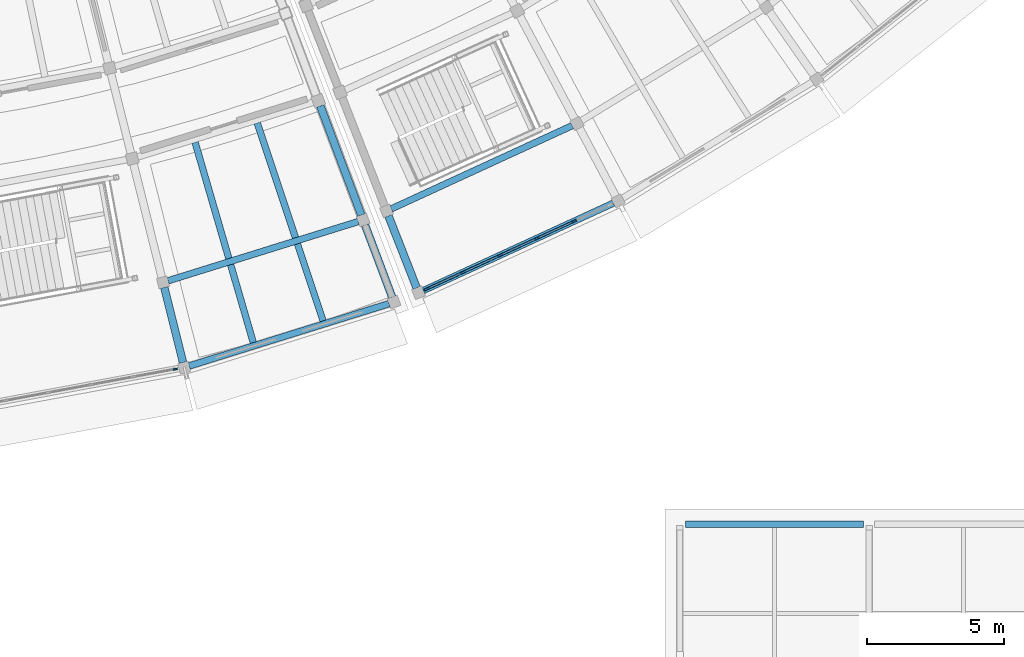
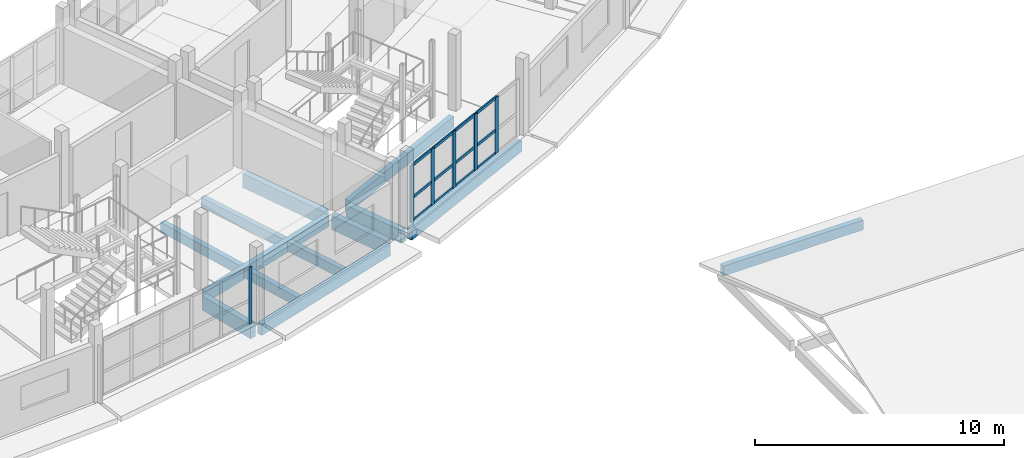
# One storey, part 24 of 66: 18 members, 11 beams, 2 elements without a shape of their own.
"""IFC4 building model written with IfcOpenShell, lengths in metres."""

import ifcopenshell
import ifcopenshell.guid

model = None  # the IFC model being written
_history = None  # IfcOwnerHistory: only IFC2X3 demands one
_inside = {}  # id of a spatial element -> (the spatial element, [elements in it])
_under = {}  # id of a project, library or spatial element -> (it, [spatial elements below it])
_declared = {}  # id of a project -> (the project, [libraries it declares])
_typed = {}  # id of a type object -> (the type object, [elements of that type])
_made_of = {}  # id of a material, layer set ... -> (it, [elements and type objects made of it])


def new_model(schema):
    """Start an empty IFC model of exactly this schema.

    Asked for "IFC4X3", IfcOpenShell would pick the latest addendum, in which some entities
    have other attributes; the version numbers below select the first issue.
    IFC2X3 requires an IfcOwnerHistory on every rooted entity: one is made here for all.
    """
    global model, _history
    if schema == "IFC4X3":
        model = ifcopenshell.file(schema_version=(4, 3, 0, 0))
    else:
        model = ifcopenshell.file(schema=schema)
    _inside.clear()
    _under.clear()
    _declared.clear()
    _typed.clear()
    _made_of.clear()
    _history = None
    if model.schema == "IFC2X3":
        org = make("IfcOrganization", Name="unknown")
        user = make(
            "IfcPersonAndOrganization",
            ThePerson=make("IfcPerson", FamilyName="unknown"),
            TheOrganization=org,
        )
        app = make(
            "IfcApplication",
            ApplicationDeveloper=org,
            Version="unknown",
            ApplicationFullName="unknown",
            ApplicationIdentifier="unknown",
        )
        _history = make(
            "IfcOwnerHistory",
            OwningUser=user,
            OwningApplication=app,
            ChangeAction="ADDED",
            CreationDate=0,
        )
    return model


def make(cls, **values):
    """One entity of the class cls with the attributes given. An attribute that is None is left unset."""
    return model.create_entity(
        cls, **{name: value for name, value in values.items() if value is not None}
    )


def rooted(cls, **values):
    """An entity with a GlobalId (a new one), such as an element, a storey or a relation."""
    return make(cls, GlobalId=ifcopenshell.guid.new(), OwnerHistory=_history, **values)


def si_unit(unit_type, name, prefix=None):
    """IfcSIUnit, for example si_unit("LENGTHUNIT", "METRE", prefix="MILLI")."""
    return make("IfcSIUnit", UnitType=unit_type, Prefix=prefix, Name=name)


def assignment(units):
    """IfcUnitAssignment: the units of a project."""
    return None if units is None else make("IfcUnitAssignment", Units=units)


def point(xyz):
    """IfcCartesianPoint."""
    return None if xyz is None else make("IfcCartesianPoint", Coordinates=xyz)


def direction(xyz):
    """IfcDirection."""
    return None if xyz is None else make("IfcDirection", DirectionRatios=xyz)


def frame(location, z_axis=None, x_axis=None):
    """IfcAxis2Placement3D, a coordinate frame: its origin and axes. An axis left out is left unset."""
    return make(
        "IfcAxis2Placement3D",
        Location=point(location),
        Axis=direction(z_axis),
        RefDirection=direction(x_axis),
    )


def frame_2d(location, x_axis=None):
    """IfcAxis2Placement2D, a coordinate frame in the plane: its origin and x axis."""
    return make(
        "IfcAxis2Placement2D", Location=point(location), RefDirection=direction(x_axis)
    )


def origin():
    """The frame at (0, 0, 0) with its axes left unset."""
    return frame((0.0, 0.0, 0.0))


def origin_2d():
    """The frame at (0, 0) in the plane with its x axis left unset."""
    return frame_2d((0.0, 0.0))


def place(relative_to, where):
    """IfcLocalPlacement: puts the frame where relative to a parent placement (None: the world)."""
    return make(
        "IfcLocalPlacement", PlacementRelTo=relative_to, RelativePlacement=where
    )


def context(
    kind, dimensions, precision=None, world=None, true_north=None, identifier=None
):
    """IfcGeometricRepresentationContext, for example the 3D "Model" context."""
    return make(
        "IfcGeometricRepresentationContext",
        ContextIdentifier=identifier,
        ContextType=kind,
        CoordinateSpaceDimension=dimensions,
        Precision=precision,
        WorldCoordinateSystem=world,
        TrueNorth=true_north,
    )


def subcontext(parent, identifier, kind, view, scale=None):
    """IfcGeometricRepresentationSubContext, for example "Body" below "Model"."""
    return make(
        "IfcGeometricRepresentationSubContext",
        ContextIdentifier=identifier,
        ContextType=kind,
        ParentContext=parent,
        TargetScale=scale,
        TargetView=view,
    )


def project(units=None, contexts=None):
    """IfcProject with its units and contexts."""
    return rooted(
        "IfcProject",
        Name="project",
        RepresentationContexts=contexts,
        UnitsInContext=assignment(units),
    )


def spatial(cls, under=None, at=None, **own):
    """A site, building, storey or space (cls), placed at a placement, below another one or the project."""
    s = rooted(cls, ObjectPlacement=at, **own)
    if under is not None:
        _under.setdefault(under.id(), (under, []))[1].append(s)
    return s


def profile(cls, at=None, kind="AREA", **sizes):
    """A parametric profile (cls). Its sizes go by their IFC names, for example OverallWidth=200.0."""
    return make(cls, ProfileType=kind, Position=at, **sizes)


def rectangle(**sizes):
    """IfcRectangleProfileDef."""
    return profile("IfcRectangleProfileDef", **sizes)


def extrude(swept, where, along, depth):
    """IfcExtrudedAreaSolid: the profile swept, set in the frame where, extruded along a direction by depth."""
    return make(
        "IfcExtrudedAreaSolid",
        SweptArea=swept,
        Position=where,
        ExtrudedDirection=direction(along),
        Depth=depth,
    )


def shape(context_of_items, identifier, shape_type, items):
    """IfcShapeRepresentation: the items that make up one representation, for example the "Body"."""
    return make(
        "IfcShapeRepresentation",
        ContextOfItems=context_of_items,
        RepresentationIdentifier=identifier,
        RepresentationType=shape_type,
        Items=items,
    )


def material(Name=None, Category=None):
    """IfcMaterial."""
    return make("IfcMaterial", Name=Name, Category=Category)


def layer(
    of_material, thickness, ventilated=None, Name=None, Category=None, Priority=None
):
    """IfcMaterialLayer: one layer of a wall or slab, of a material (None: an air gap)."""
    return make(
        "IfcMaterialLayer",
        Material=of_material,
        LayerThickness=thickness,
        IsVentilated=ventilated,
        Name=Name,
        Category=Category,
        Priority=Priority,
    )


def layer_set(layers, Name=None):
    """IfcMaterialLayerSet."""
    return make("IfcMaterialLayerSet", MaterialLayers=layers, LayerSetName=Name)


def material_profile(
    of_material, cross_section, Name=None, Category=None, Priority=None
):
    """IfcMaterialProfile: a cross section and its material."""
    return make(
        "IfcMaterialProfile",
        Name=Name,
        Material=of_material,
        Profile=cross_section,
        Priority=Priority,
        Category=Category,
    )


def profile_set(profiles, Name=None, composite=None):
    """IfcMaterialProfileSet."""
    return make(
        "IfcMaterialProfileSet",
        Name=Name,
        MaterialProfiles=profiles,
        CompositeProfile=composite,
    )


def made_of(thing, what):
    """Note that an element or type object is made of a material, layer set ...; save() writes the relation."""
    if what is not None:
        _made_of.setdefault(what.id(), (what, []))[1].append(thing)
    return thing


def type_object(cls, material=None, **own):
    """A type object (cls), such as IfcWallType, which elements share."""
    return made_of(rooted(cls, **own), material)


def element(
    cls,
    number,
    at=None,
    inside=None,
    cuts=None,
    type_object=None,
    material=None,
    context=None,
    identifier="Body",
    shape_type=None,
    held_by="IfcProductDefinitionShape",
    body=None,
    shapes=None,
    **own,
):
    """One element of the class cls, such as IfcWall. Its Tag is "e" and its number.

    at: its placement. inside: the storey or other place that contains it. cuts: it is an
    opening in that element (IfcRelVoidsElement). A single representation is given by context,
    identifier, shape_type and body (its items); several are given by shapes. held_by: the class
    of the entity that holds the representations. save() writes the other relations.
    """
    e = rooted(cls, Tag="e%d" % number, ObjectPlacement=at, **own)
    if body is not None:
        shapes = [shape(context, identifier, shape_type, body)]
    if shapes is not None:
        e.Representation = make(held_by, Representations=shapes)
    if inside is not None:
        _inside.setdefault(inside.id(), (inside, []))[1].append(e)
    if cuts is not None:
        rooted(
            "IfcRelVoidsElement", RelatingBuildingElement=cuts, RelatedOpeningElement=e
        )
    if type_object is not None:
        _typed.setdefault(type_object.id(), (type_object, []))[1].append(e)
    return made_of(e, material)


def aggregate(whole, parts):
    """IfcRelAggregates: a whole, such as a stair, and the parts it consists of."""
    return rooted("IfcRelAggregates", RelatingObject=whole, RelatedObjects=parts)


def save(model, path):
    """Write the relations noted so far, then the file.

    IfcRelAggregates (storeys below a building ...), IfcRelContainedInSpatialStructure (elements
    in a storey), IfcRelDefinesByType, IfcRelAssociatesMaterial and IfcRelDeclares: one each for
    every whole, place, type object, material and project.
    """
    for whole, parts in _under.values():
        aggregate(whole, parts)
    for where, things in _inside.values():
        rooted(
            "IfcRelContainedInSpatialStructure",
            RelatedElements=things,
            RelatingStructure=where,
        )
    for kind, things in _typed.values():
        rooted("IfcRelDefinesByType", RelatedObjects=things, RelatingType=kind)
    for what, things in _made_of.values():
        rooted("IfcRelAssociatesMaterial", RelatedObjects=things, RelatingMaterial=what)
    for by, libraries in _declared.values():
        rooted("IfcRelDeclares", RelatingContext=by, RelatedDefinitions=libraries)
    model.write(path)


model = new_model("IFC4")

# Units and contexts
model_context = context("Model", 3, precision=1e-05, world=origin(), true_north=direction((0.0, 1.0)))
body_context = subcontext(model_context, "Body", "Model", "MODEL_VIEW")
ifc_project = project(units=[si_unit("LENGTHUNIT", "METRE"), si_unit("AREAUNIT", "SQUARE_METRE"), si_unit("VOLUMEUNIT", "CUBIC_METRE"), si_unit("PLANEANGLEUNIT", "RADIAN"), si_unit("MASSUNIT", "GRAM", prefix="KILO")], contexts=[model_context])

# Site, building, storey
site_placement = place(None, origin())
site = spatial("IfcSite", under=ifc_project, at=site_placement, CompositionType="ELEMENT")
building_placement = place(site_placement, origin())
building = spatial("IfcBuilding", under=site, at=building_placement, Name="Caldaven Crescent School", CompositionType="ELEMENT")
storey_placement = place(building_placement, frame((0.0, 0.0, 8.159912109375)))
storey = spatial("IfcBuildingStorey", under=building, at=storey_placement, Name="L02", CompositionType="ELEMENT", Elevation=8.159912109375)

# Beams
ifc_material_1 = material(Name="Glulam MLE24h (GL28h)", Category="wood")
ifc_material_profile_1 = material_profile(ifc_material_1, rectangle(XDim=0.239990234375, YDim=0.5400390625, at=origin_2d()), Name="MLE 240x540")
ifc_profile_set_1 = profile_set([ifc_material_profile_1], Name="Glulam MLE24h (GL28h)")
beam_type_1 = type_object("IfcBeamType", Name="BM-GL54", PredefinedType="BEAM", material=ifc_profile_set_1)
beam_1_placement = place(storey_placement, frame((104.23291015625, 31.677490234375, -0.52001953125), z_axis=(0.954751649919, 0.297404248417, 0.0), x_axis=(-0.297404248417, 0.954751649919, 0.0)))
element("IfcBeam", 1, at=beam_1_placement, inside=storey, type_object=beam_type_1, Name="BMT-V5-L02-1269", PredefinedType="BEAM", context=body_context, shape_type="SweptSolid", body=[
    extrude(rectangle(XDim=0.239990234375, YDim=0.5400390625, at=origin_2d()), origin(), (0.0, 0.0, 1.0), 7.264892578125),
])
beam_2_placement = place(storey_placement, frame((112.376220703125, 34.301513671875, -0.52001953125), z_axis=(0.908523111099, 0.417834604357, 0.0), x_axis=(-0.417834604357, 0.908523111099, 0.0)))
element("IfcBeam", 2, at=beam_2_placement, inside=storey, type_object=beam_type_1, Name="BMT-V4E-L02-1302", PredefinedType="BEAM", context=body_context, shape_type="SweptSolid", body=[
    extrude(rectangle(XDim=0.239990234375, YDim=0.5400390625, at=origin_2d()), origin(), (0.0, 0.0, 1.0), 7.26513671875),
])
ifc_material_profile_2 = material_profile(ifc_material_1, rectangle(XDim=0.280029296875, YDim=0.6298828125, at=origin_2d()), Name="MLE 280x630")
ifc_profile_set_2 = profile_set([ifc_material_profile_2], Name="Glulam MLE24h (GL28h)")
beam_type_2 = type_object("IfcBeamType", Name="BM-GL63", PredefinedType="BEAM", material=ifc_profile_set_2)
beam_3_placement = place(storey_placement, frame((112.27294921875, 34.045166015625, -0.56494140625), z_axis=(0.364813864007, -0.931080471618, 0.0), x_axis=(0.931080471618, 0.364813864007, 0.0)))
element("IfcBeam", 3, at=beam_3_placement, inside=storey, type_object=beam_type_2, Name="BMR-V4E-L02-1278", PredefinedType="BEAM", context=body_context, shape_type="SweptSolid", body=[
    extrude(rectangle(XDim=0.280029296875, YDim=0.6298828125, at=origin_2d()), origin(), (0.0, 0.0, 1.0), 2.820068359375),
])
ifc_material_profile_3 = material_profile(ifc_material_1, rectangle(XDim=0.280029296875, YDim=0.68994140625, at=origin_2d()), Name="MLE 280x690")
ifc_profile_set_3 = profile_set([ifc_material_profile_3], Name="Glulam MLE24h (GL28h)")
beam_type_3 = type_object("IfcBeamType", Name="BM-GL69", PredefinedType="BEAM", material=ifc_profile_set_3)
beam_4_placement = place(storey_placement, frame((104.097412109375, 31.4365234375, -0.594970703125), z_axis=(0.241965234679, -0.970284919602, 0.0), x_axis=(0.970284919602, 0.241965234679, 0.0)))
element("IfcBeam", 4, at=beam_4_placement, inside=storey, type_object=beam_type_3, Name="BMR-V5-L02-1223", PredefinedType="BEAM", context=body_context, shape_type="SweptSolid", body=[
    extrude(rectangle(XDim=0.280029296875, YDim=0.68994140625, at=origin_2d()), origin(), (0.0, 0.0, 1.0), 2.820068359375),
])
beam_5_placement = place(storey_placement, frame((109.786376953125, 38.055419921875, -0.594970703125), z_axis=(0.351890440491, -0.936041194548, 0.0), x_axis=(0.936041194548, 0.351890440491, 0.0)))
element("IfcBeam", 5, at=beam_5_placement, inside=storey, type_object=beam_type_3, Name="BMR-V5-L02-1226", PredefinedType="BEAM", context=body_context, shape_type="SweptSolid", body=[
    extrude(rectangle(XDim=0.280029296875, YDim=0.68994140625, at=origin_2d()), origin(), (0.0, 0.0, 1.0), 4.255126953125),
])
beam_6_placement = place(storey_placement, frame((111.41748046875, 33.716796875, -0.594970703125), z_axis=(0.351920262681, -0.936029982807, 0.0), x_axis=(0.936029982807, 0.351920262681, 0.0)))
element("IfcBeam", 6, at=beam_6_placement, inside=storey, type_object=beam_type_3, Name="BMR-V5-L02-1227", PredefinedType="BEAM", context=body_context, shape_type="SweptSolid", body=[
    extrude(rectangle(XDim=0.280029296875, YDim=0.68994140625, at=origin_2d()), origin(), (0.0, 0.0, 1.0), 2.820068359375),
])

# Curtain wall, member
ifc_material_2 = material(Name="Anodised aluminium AA 6063-T6 and low-E double glazing", Category="aluminium")
ifc_layer_1 = layer(ifc_material_2, 0.169921875)
ifc_layer_set_1 = layer_set([ifc_layer_1], Name="Anodised aluminium AA 6063-T6 and low-E double glazing")
curtain_wall_type_1 = type_object("IfcCurtainWallType", Name="CW-SYS1", PredefinedType="NOTDEFINED", material=ifc_layer_set_1)
curtain_wall_1_placement = place(storey_placement, origin())
curtain_wall_1 = element("IfcCurtainWall", 7, at=curtain_wall_1_placement, inside=storey, type_object=curtain_wall_type_1, Name="CW-L02-147", PredefinedType="NOTDEFINED")
ifc_material_3 = material(Name="Anodised aluminium AA 6063-T6", Category="aluminium")
ifc_material_profile_4 = material_profile(ifc_material_3, rectangle(XDim=0.06005859375, YDim=0.14990234375, at=origin_2d()), Name="CWM 60x150")
ifc_profile_set_4 = profile_set([ifc_material_profile_4], Name="Anodised aluminium AA 6063-T6")
member_type_1 = type_object("IfcMemberType", Name="CWM-T1", PredefinedType="MULLION", material=ifc_profile_set_4)
member_1_placement = place(storey_placement, frame((104.501220703125, 28.455810546875, 0.0), z_axis=(0.0, 0.0, 1.0), x_axis=(-0.182234865564, 0.983255029874, 0.0)))
member_1 = element("IfcMember", 8, at=member_1_placement, type_object=member_type_1, Name="CW1 mullion 6", PredefinedType="MULLION", context=body_context, shape_type="SweptSolid", body=[
    extrude(rectangle(XDim=0.06005859375, YDim=0.14990234375, at=origin_2d()), origin(), (0.0, 0.0, 1.0), 2.780029296875),
])
aggregate(curtain_wall_1, [member_1])

# Curtain wall, members
ifc_layer_2 = layer(ifc_material_2, 0.2099609375)
ifc_layer_set_2 = layer_set([ifc_layer_2], Name="Anodised aluminium AA 6063-T6 and low-E double glazing")
curtain_wall_type_2 = type_object("IfcCurtainWallType", Name="CW-SYS3", PredefinedType="NOTDEFINED", material=ifc_layer_set_2)
curtain_wall_2_placement = place(storey_placement, origin())
curtain_wall_2 = element("IfcCurtainWall", 9, at=curtain_wall_2_placement, inside=storey, type_object=curtain_wall_type_2, Name="CW-L02-150", PredefinedType="NOTDEFINED")
ifc_material_profile_5 = material_profile(ifc_material_3, rectangle(XDim=0.070068359375, YDim=0.2099609375, at=origin_2d()), Name="CWM 70x210")
ifc_profile_set_5 = profile_set([ifc_material_profile_5], Name="Anodised aluminium AA 6063-T6")
member_type_2 = type_object("IfcMemberType", Name="CWM-T3", PredefinedType="MULLION", material=ifc_profile_set_5)
member_2_placement = place(storey_placement, frame((113.67529296875, 31.382568359375, 0.0), z_axis=(0.0, 0.0, 1.0), x_axis=(-0.417823425339, 0.908528252306, 0.0)))
member_2 = element("IfcMember", 10, at=member_2_placement, type_object=member_type_2, Name="CW3 mullion 1", PredefinedType="MULLION", context=body_context, shape_type="SweptSolid", body=[
    extrude(rectangle(XDim=0.070068359375, YDim=0.2099609375, at=origin_2d()), origin(), (0.0, 0.0, 1.0), 2.780029296875),
])
member_3_placement = place(storey_placement, frame((114.99072265625, 31.987548828125, 0.0), z_axis=(0.0, 0.0, 1.0), x_axis=(-0.417823425339, 0.908528252306, 0.0)))
member_3 = element("IfcMember", 11, at=member_3_placement, type_object=member_type_2, Name="CW3 mullion 2", PredefinedType="MULLION", context=body_context, shape_type="SweptSolid", body=[
    extrude(rectangle(XDim=0.070068359375, YDim=0.2099609375, at=origin_2d()), origin(), (0.0, 0.0, 1.0), 2.780029296875),
])
member_4_placement = place(storey_placement, frame((116.337890625, 32.60693359375, 0.0), z_axis=(0.0, 0.0, 1.0), x_axis=(-0.417823425339, 0.908528252306, 0.0)))
member_4 = element("IfcMember", 12, at=member_4_placement, type_object=member_type_2, Name="CW3 mullion 3", PredefinedType="MULLION", context=body_context, shape_type="SweptSolid", body=[
    extrude(rectangle(XDim=0.070068359375, YDim=0.2099609375, at=origin_2d()), origin(), (0.0, 0.0, 1.0), 2.780029296875),
])
member_5_placement = place(storey_placement, frame((117.684814453125, 33.2265625, 0.0), z_axis=(0.0, 0.0, 1.0), x_axis=(-0.417823425339, 0.908528252306, 0.0)))
member_5 = element("IfcMember", 13, at=member_5_placement, type_object=member_type_2, Name="CW3 mullion 4", PredefinedType="MULLION", context=body_context, shape_type="SweptSolid", body=[
    extrude(rectangle(XDim=0.070068359375, YDim=0.2099609375, at=origin_2d()), origin(), (0.0, 0.0, 1.0), 2.780029296875),
])
member_6_placement = place(storey_placement, frame((119.031982421875, 33.84619140625, 0.0), z_axis=(0.0, 0.0, 1.0), x_axis=(-0.417823425339, 0.908528252306, 0.0)))
member_6 = element("IfcMember", 14, at=member_6_placement, type_object=member_type_2, Name="CW3 mullion 5", PredefinedType="MULLION", context=body_context, shape_type="SweptSolid", body=[
    extrude(rectangle(XDim=0.070068359375, YDim=0.2099609375, at=origin_2d()), origin(), (0.0, 0.0, 1.0), 2.780029296875),
])
ifc_material_profile_6 = material_profile(ifc_material_3, rectangle(XDim=0.06494140625, YDim=0.139892578125, at=origin_2d()), Name="CWT 65x140")
ifc_profile_set_6 = profile_set([ifc_material_profile_6], Name="Anodised aluminium AA 6063-T6")
member_type_3 = type_object("IfcMemberType", Name="CWT-T2", PredefinedType="USERDEFINED", material=ifc_profile_set_6)
member_7_placement = place(storey_placement, frame((113.70703125, 31.397216796875, 0.032470703125), z_axis=(0.908518707105, 0.417844180096, 0.0), x_axis=(-0.417844180096, 0.908518707105, 0.0)))
member_7 = element("IfcMember", 15, at=member_7_placement, type_object=member_type_3, Name="CW3 transom 1.1", ObjectType="TRANSOM", PredefinedType="USERDEFINED", context=body_context, shape_type="SweptSolid", body=[
    extrude(rectangle(XDim=0.06494140625, YDim=0.139892578125, at=origin_2d()), origin(), (0.0, 0.0, 1.0), 1.377685546875),
])
member_8_placement = place(storey_placement, frame((113.70703125, 31.397216796875, 1.16796875), z_axis=(0.908518707105, 0.417844180096, 0.0), x_axis=(-0.417844180096, 0.908518707105, 0.0)))
member_8 = element("IfcMember", 16, at=member_8_placement, type_object=member_type_3, Name="CW3 transom 1.2", ObjectType="TRANSOM", PredefinedType="USERDEFINED", context=body_context, shape_type="SweptSolid", body=[
    extrude(rectangle(XDim=0.06494140625, YDim=0.139892578125, at=origin_2d()), origin(), (0.0, 0.0, 1.0), 1.377685546875),
])
member_9_placement = place(storey_placement, frame((113.70703125, 31.397216796875, 2.74755859375), z_axis=(0.908518707105, 0.417844180096, 0.0), x_axis=(-0.417844180096, 0.908518707105, 0.0)))
member_9 = element("IfcMember", 17, at=member_9_placement, type_object=member_type_3, Name="CW3 transom 1.3", ObjectType="TRANSOM", PredefinedType="USERDEFINED", context=body_context, shape_type="SweptSolid", body=[
    extrude(rectangle(XDim=0.06494140625, YDim=0.139892578125, at=origin_2d()), origin(), (0.0, 0.0, 1.0), 1.377685546875),
])
member_10_placement = place(storey_placement, frame((115.0224609375, 32.002197265625, 0.032470703125), z_axis=(0.908504886929, 0.417874228, 0.0), x_axis=(-0.417874228, 0.908504886929, 0.0)))
member_10 = element("IfcMember", 18, at=member_10_placement, type_object=member_type_3, Name="CW3 transom 2.1", ObjectType="TRANSOM", PredefinedType="USERDEFINED", context=body_context, shape_type="SweptSolid", body=[
    extrude(rectangle(XDim=0.06494140625, YDim=0.139892578125, at=origin_2d()), origin(), (0.0, 0.0, 1.0), 1.41259765625),
])
member_11_placement = place(storey_placement, frame((115.0224609375, 32.002197265625, 1.16796875), z_axis=(0.908504886929, 0.417874228, 0.0), x_axis=(-0.417874228, 0.908504886929, 0.0)))
member_11 = element("IfcMember", 19, at=member_11_placement, type_object=member_type_3, Name="CW3 transom 2.2", ObjectType="TRANSOM", PredefinedType="USERDEFINED", context=body_context, shape_type="SweptSolid", body=[
    extrude(rectangle(XDim=0.06494140625, YDim=0.139892578125, at=origin_2d()), origin(), (0.0, 0.0, 1.0), 1.41259765625),
])
member_12_placement = place(storey_placement, frame((115.0224609375, 32.002197265625, 2.74755859375), z_axis=(0.908504886929, 0.417874228, 0.0), x_axis=(-0.417874228, 0.908504886929, 0.0)))
member_12 = element("IfcMember", 20, at=member_12_placement, type_object=member_type_3, Name="CW3 transom 2.3", ObjectType="TRANSOM", PredefinedType="USERDEFINED", context=body_context, shape_type="SweptSolid", body=[
    extrude(rectangle(XDim=0.06494140625, YDim=0.139892578125, at=origin_2d()), origin(), (0.0, 0.0, 1.0), 1.41259765625),
])
member_13_placement = place(storey_placement, frame((116.36962890625, 32.62158203125, 0.032470703125), z_axis=(0.908504886929, 0.417874228, 0.0), x_axis=(-0.417874228, 0.908504886929, 0.0)))
member_13 = element("IfcMember", 21, at=member_13_placement, type_object=member_type_3, Name="CW3 transom 3.1", ObjectType="TRANSOM", PredefinedType="USERDEFINED", context=body_context, shape_type="SweptSolid", body=[
    extrude(rectangle(XDim=0.06494140625, YDim=0.139892578125, at=origin_2d()), origin(), (0.0, 0.0, 1.0), 1.41259765625),
])
member_14_placement = place(storey_placement, frame((116.36962890625, 32.62158203125, 1.16796875), z_axis=(0.908504886929, 0.417874228, 0.0), x_axis=(-0.417874228, 0.908504886929, 0.0)))
member_14 = element("IfcMember", 22, at=member_14_placement, type_object=member_type_3, Name="CW3 transom 3.2", ObjectType="TRANSOM", PredefinedType="USERDEFINED", context=body_context, shape_type="SweptSolid", body=[
    extrude(rectangle(XDim=0.06494140625, YDim=0.139892578125, at=origin_2d()), origin(), (0.0, 0.0, 1.0), 1.41259765625),
])
member_15_placement = place(storey_placement, frame((116.36962890625, 32.62158203125, 2.74755859375), z_axis=(0.908504886929, 0.417874228, 0.0), x_axis=(-0.417874228, 0.908504886929, 0.0)))
member_15 = element("IfcMember", 23, at=member_15_placement, type_object=member_type_3, Name="CW3 transom 3.3", ObjectType="TRANSOM", PredefinedType="USERDEFINED", context=body_context, shape_type="SweptSolid", body=[
    extrude(rectangle(XDim=0.06494140625, YDim=0.139892578125, at=origin_2d()), origin(), (0.0, 0.0, 1.0), 1.41259765625),
])
member_16_placement = place(storey_placement, frame((117.716796875, 33.2412109375, 0.032470703125), z_axis=(0.908504886929, 0.417874228, 0.0), x_axis=(-0.417874228, 0.908504886929, 0.0)))
member_16 = element("IfcMember", 24, at=member_16_placement, type_object=member_type_3, Name="CW3 transom 4.1", ObjectType="TRANSOM", PredefinedType="USERDEFINED", context=body_context, shape_type="SweptSolid", body=[
    extrude(rectangle(XDim=0.06494140625, YDim=0.139892578125, at=origin_2d()), origin(), (0.0, 0.0, 1.0), 1.41259765625),
])
member_17_placement = place(storey_placement, frame((117.716796875, 33.2412109375, 1.16796875), z_axis=(0.908504886929, 0.417874228, 0.0), x_axis=(-0.417874228, 0.908504886929, 0.0)))
member_17 = element("IfcMember", 25, at=member_17_placement, type_object=member_type_3, Name="CW3 transom 4.2", ObjectType="TRANSOM", PredefinedType="USERDEFINED", context=body_context, shape_type="SweptSolid", body=[
    extrude(rectangle(XDim=0.06494140625, YDim=0.139892578125, at=origin_2d()), origin(), (0.0, 0.0, 1.0), 1.41259765625),
])
member_18_placement = place(storey_placement, frame((117.716796875, 33.2412109375, 2.74755859375), z_axis=(0.908504886929, 0.417874228, 0.0), x_axis=(-0.417874228, 0.908504886929, 0.0)))
member_18 = element("IfcMember", 26, at=member_18_placement, type_object=member_type_3, Name="CW3 transom 4.3", ObjectType="TRANSOM", PredefinedType="USERDEFINED", context=body_context, shape_type="SweptSolid", body=[
    extrude(rectangle(XDim=0.06494140625, YDim=0.139892578125, at=origin_2d()), origin(), (0.0, 0.0, 1.0), 1.41259765625),
])
aggregate(curtain_wall_2, [member_2, member_3, member_4, member_5, member_6, member_7, member_8, member_9, member_10, member_11, member_12, member_13, member_14, member_15, member_16, member_17, member_18])

# Beams
ifc_material_profile_7 = material_profile(ifc_material_1, rectangle(XDim=0.239990234375, YDim=0.47998046875, at=origin_2d()), Name="MLE 240x480")
ifc_profile_set_7 = profile_set([ifc_material_profile_7], Name="Glulam MLE24h (GL28h)")
beam_type_4 = type_object("IfcBeamType", Name="JS-GL48", PredefinedType="JOIST", material=ifc_profile_set_7)
for number, where, z_axis, x_axis, name in (
    (27, (105.22119140625, 36.72705078125, -0.489990234375), (0.279011621042, -0.96028772528, 0.0), (0.96028772528, 0.279011621042, 0.0), "JSR-V5-L02-1272"),
    (28, (107.488037109375, 37.433349609375, -0.489990234375), (0.315717515133, -0.948853229239, 0.0), (0.948853229239, 0.315717515133, 0.0), "JSR-V5-L02-1274"),
):
    element("IfcBeam", number, at=place(storey_placement, frame(where, z_axis=z_axis, x_axis=x_axis)), inside=storey, type_object=beam_type_4, Name=name, PredefinedType="JOIST", context=body_context, shape_type="SweptSolid", body=[
        extrude(rectangle(XDim=0.239990234375, YDim=0.47998046875, at=origin_2d()), origin(), (0.0, 0.0, 1.0), 7.6083984375),
    ])
ifc_material_profile_8 = material_profile(ifc_material_1, rectangle(XDim=0.239990234375, YDim=0.47998046875, at=origin_2d()), Name="MLE 240x480")
ifc_profile_set_8 = profile_set([ifc_material_profile_8], Name="Glulam MLE24h (GL28h)")
beam_type_5 = type_object("IfcBeamType", Name="SP-GL48", PredefinedType="SPANDREL", material=ifc_profile_set_8)
beam_7_placement = place(storey_placement, frame((123.10498046875, 22.800048828125, -0.4599609375), z_axis=(1.0, 0.0, 0.0), x_axis=(0.0, 1.0, 0.0)))
element("IfcBeam", 29, at=beam_7_placement, inside=storey, type_object=beam_type_5, Name="BMX-V3-L02-0516", PredefinedType="SPANDREL", context=body_context, shape_type="SweptSolid", body=[
    extrude(rectangle(XDim=0.239990234375, YDim=0.47998046875, at=origin_2d()), origin(), (0.0, 0.0, 1.0), 6.489990234375),
])
ifc_material_profile_9 = material_profile(ifc_material_1, rectangle(XDim=0.239990234375, YDim=0.5400390625, at=origin_2d()), Name="MLE 240x540")
ifc_profile_set_9 = profile_set([ifc_material_profile_9], Name="Glulam MLE24h (GL28h)")
beam_type_6 = type_object("IfcBeamType", Name="SP-GL54", PredefinedType="SPANDREL", material=ifc_profile_set_9)
for number, where, z_axis, x_axis, name in (
    (30, (105.007080078125, 28.572509765625, -0.52001953125), (0.954744218179, 0.297428105352, 0.0), (-0.297428105352, 0.954744218179, 0.0), "BMT-V5-L02-1270"),
    (31, (113.543701171875, 31.322021484375, -0.52001953125), (0.908522990754, 0.417834866031, 0.0), (-0.417834866031, 0.908522990754, 0.0), "BMT-V4E-L02-1303"),
):
    element("IfcBeam", number, at=place(storey_placement, frame(where, z_axis=z_axis, x_axis=x_axis)), inside=storey, type_object=beam_type_6, Name=name, PredefinedType="SPANDREL", context=body_context, shape_type="SweptSolid", body=[
        extrude(rectangle(XDim=0.239990234375, YDim=0.5400390625, at=origin_2d()), origin(), (0.0, 0.0, 1.0), 7.6337890625),
    ])

save(model, "model.ifc")
